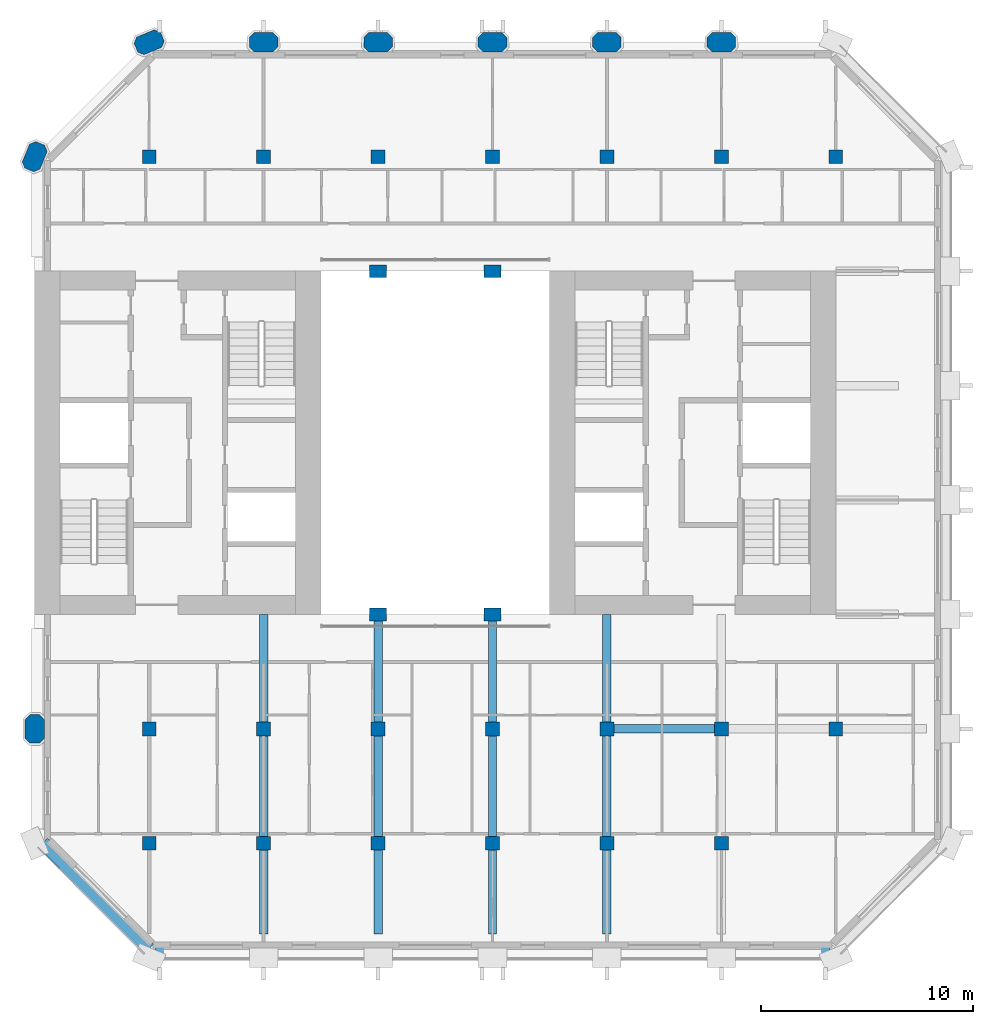
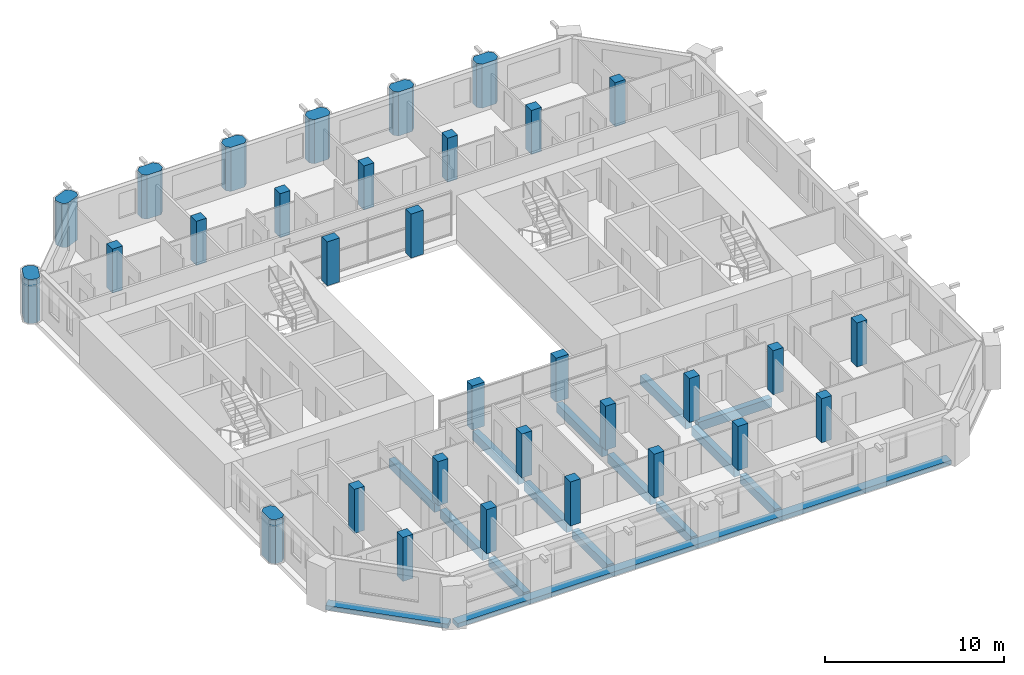
# One storey, part 1 of 14: 32 columns, 15 beams.
"""IFC4 building model written with IfcOpenShell, lengths in metres."""

from ifc_helpers import new_model, si_unit, direction, frame, origin, origin_2d, place, context, subcontext, project, spatial, polyline, rectangle, outline, extrude, material, material_profile, profile_set, type_object, element, save


model = new_model("IFC4")

# Units and contexts
model_context = context("Model", 3, precision=1e-05, world=origin(), true_north=direction((0.0, 1.0)))
body_context = subcontext(model_context, "Body", "Model", "MODEL_VIEW")
ifc_project = project(units=[si_unit("LENGTHUNIT", "METRE"), si_unit("AREAUNIT", "SQUARE_METRE"), si_unit("VOLUMEUNIT", "CUBIC_METRE"), si_unit("PLANEANGLEUNIT", "RADIAN"), si_unit("MASSUNIT", "GRAM", prefix="KILO")], contexts=[model_context])

# Site, building, storey
site_placement = place(None, origin())
site = spatial("IfcSite", under=ifc_project, at=site_placement, CompositionType="ELEMENT")
building_placement = place(site_placement, origin())
building = spatial("IfcBuilding", under=site, at=building_placement, Name="Tabaq Tower and Sports Hall", CompositionType="ELEMENT")
storey_placement = place(building_placement, frame((0.0, 0.0, 285.10009765625)))
storey = spatial("IfcBuildingStorey", under=building, at=storey_placement, Name="L70", CompositionType="ELEMENT", Elevation=285.10009765625)

# Columns
ifc_material_1 = material(Name="Concrete C40/50", Category="concrete")
ifc_material_profile_1 = material_profile(ifc_material_1, rectangle(XDim=0.800048828125, YDim=0.60009765625, at=origin_2d()), Name="ATRIUM COLUMN 800x600")
ifc_profile_set_1 = profile_set([ifc_material_profile_1], Name="Concrete C40/50")
column_type_1 = type_object("IfcColumnType", Name="RC COLUMN ATRIUM COLUMN 800x600 C40/50", PredefinedType="COLUMN", material=ifc_profile_set_1)
for number, where, z_axis, x_axis, name in (
    (1, (21.60009765625, 16.199951171875, 0.0), (0.0, 0.0, 1.0), (1.0, 0.0, 0.0), "Atrium Column 5/D L70"),
    (2, (27.0, 16.199951171875, 0.0), (0.0, 0.0, 1.0), (1.0, 0.0, 0.0), "Atrium Column 6/D L70"),
    (3, (21.60009765625, 32.39990234375, 0.0), (0.0, 0.0, 1.0), (1.0, 0.0, 0.0), "Atrium Column 5/G L70"),
    (4, (27.0, 32.39990234375, 0.0), (0.0, 0.0, 1.0), (1.0, 0.0, 0.0), "Atrium Column 6/G L70"),
):
    element("IfcColumn", number, at=place(storey_placement, frame(where, z_axis=z_axis, x_axis=x_axis)), inside=storey, type_object=column_type_1, Name=name, PredefinedType="COLUMN", context=body_context, shape_type="SweptSolid", body=[
        extrude(rectangle(XDim=0.800048828125, YDim=0.60009765625, at=origin_2d()), origin(), (0.0, 0.0, 1.0), 3.0),
    ])
ifc_material_2 = material(Name="Concrete C40/50", Category="concrete")
ifc_material_profile_2 = material_profile(ifc_material_2, rectangle(XDim=0.64990234375, YDim=0.64990234375, at=origin_2d()), Name="COLUMN 650x650")
ifc_profile_set_2 = profile_set([ifc_material_profile_2], Name="Concrete C40/50")
column_type_2 = type_object("IfcColumnType", Name="RC COLUMN COLUMN 650x650 C40/50", PredefinedType="COLUMN", material=ifc_profile_set_2)
for number, where, z_axis, x_axis, name in (
    (5, (10.800048828125, 5.39990234375, 0.0), (0.0, 0.0, 1.0), (1.0, 0.0, 0.0), "Column 3/B L70"),
    (6, (16.199951171875, 5.39990234375, 0.0), (0.0, 0.0, 1.0), (1.0, 0.0, 0.0), "Column 4/B L70"),
    (7, (21.60009765625, 5.39990234375, 0.0), (0.0, 0.0, 1.0), (1.0, 0.0, 0.0), "Column 5/B L70"),
    (8, (27.0, 5.39990234375, 0.0), (0.0, 0.0, 1.0), (1.0, 0.0, 0.0), "Column 6/B L70"),
    (9, (32.39990234375, 5.39990234375, 0.0), (0.0, 0.0, 1.0), (1.0, 0.0, 0.0), "Column 7/B L70"),
    (10, (37.800048828125, 5.39990234375, 0.0), (0.0, 0.0, 1.0), (1.0, 0.0, 0.0), "Column 8/B L70"),
    (11, (10.800048828125, 10.800048828125, 0.0), (0.0, 0.0, 1.0), (1.0, 0.0, 0.0), "Column 3/C L70"),
    (12, (16.199951171875, 10.800048828125, 0.0), (0.0, 0.0, 1.0), (1.0, 0.0, 0.0), "Column 4/C L70"),
    (13, (21.60009765625, 10.800048828125, 0.0), (0.0, 0.0, 1.0), (1.0, 0.0, 0.0), "Column 5/C L70"),
    (14, (27.0, 10.800048828125, 0.0), (0.0, 0.0, 1.0), (1.0, 0.0, 0.0), "Column 6/C L70"),
    (15, (32.39990234375, 10.800048828125, 0.0), (0.0, 0.0, 1.0), (1.0, 0.0, 0.0), "Column 7/C L70"),
    (16, (37.800048828125, 10.800048828125, 0.0), (0.0, 0.0, 1.0), (1.0, 0.0, 0.0), "Column 8/C L70"),
    (17, (43.199951171875, 10.800048828125, 0.0), (0.0, 0.0, 1.0), (1.0, 0.0, 0.0), "Column 9/C L70"),
    (18, (10.800048828125, 37.800048828125, 0.0), (0.0, 0.0, 1.0), (1.0, 0.0, 0.0), "Column 3/H L70"),
    (19, (16.199951171875, 37.800048828125, 0.0), (0.0, 0.0, 1.0), (1.0, 0.0, 0.0), "Column 4/H L70"),
    (20, (21.60009765625, 37.800048828125, 0.0), (0.0, 0.0, 1.0), (1.0, 0.0, 0.0), "Column 5/H L70"),
    (21, (27.0, 37.800048828125, 0.0), (0.0, 0.0, 1.0), (1.0, 0.0, 0.0), "Column 6/H L70"),
    (22, (32.39990234375, 37.800048828125, 0.0), (0.0, 0.0, 1.0), (1.0, 0.0, 0.0), "Column 7/H L70"),
    (23, (37.800048828125, 37.800048828125, 0.0), (0.0, 0.0, 1.0), (1.0, 0.0, 0.0), "Column 8/H L70"),
    (24, (43.199951171875, 37.800048828125, 0.0), (0.0, 0.0, 1.0), (1.0, 0.0, 0.0), "Column 9/H L70"),
):
    element("IfcColumn", number, at=place(storey_placement, frame(where, z_axis=z_axis, x_axis=x_axis)), inside=storey, type_object=column_type_2, Name=name, PredefinedType="COLUMN", context=body_context, shape_type="SweptSolid", body=[
        extrude(rectangle(XDim=0.64990234375, YDim=0.64990234375, at=origin_2d()), origin(), (0.0, 0.0, 1.0), 3.0),
    ])
ifc_material_3 = material(Name="Concrete C40/50", Category="concrete")
ifc_material_profile_3 = material_profile(ifc_material_3, outline(polyline([(-0.449951171875, -0.449951171875), (0.449951171875, -0.449951171875), (0.675048828125, -0.22509765625), (0.675048828125, 0.22509765625), (0.449951171875, 0.449951171875), (-0.449951171875, 0.449951171875), (-0.675048828125, 0.22509765625), (-0.675048828125, -0.22509765625), (-0.449951171875, -0.449951171875)])), Name="PIER 1350x900")
ifc_profile_set_3 = profile_set([ifc_material_profile_3], Name="Concrete C40/50")
column_type_3 = type_object("IfcColumnType", Name="RC COLUMN PIER 1350x900 C40/50", PredefinedType="COLUMN", material=ifc_profile_set_3)
for number, where, z_axis, x_axis, name in (
    (25, (5.39990234375, 10.800048828125, 0.0), (0.0, 0.0, 1.0), (0.0, 1.0, 0.0), "Pier 2/C L70"),
    (26, (5.39990234375, 37.800048828125, 0.0), (0.0, 0.0, 1.0), (0.382683432365, 0.923879532511, 0.0), "Pier 2/H L70"),
    (27, (10.800048828125, 43.199951171875, 0.0), (0.0, 0.0, 1.0), (0.923879532511, 0.382683432365, 0.0), "Pier 3/I L70"),
    (28, (16.199951171875, 43.199951171875, 0.0), (0.0, 0.0, 1.0), (1.0, 0.0, 0.0), "Pier 4/I L70"),
    (29, (21.60009765625, 43.199951171875, 0.0), (0.0, 0.0, 1.0), (1.0, 0.0, 0.0), "Pier 5/I L70"),
    (30, (27.0, 43.199951171875, 0.0), (0.0, 0.0, 1.0), (1.0, 0.0, 0.0), "Pier 6/I L70"),
    (31, (32.39990234375, 43.199951171875, 0.0), (0.0, 0.0, 1.0), (1.0, 0.0, 0.0), "Pier 7/I L70"),
    (32, (37.800048828125, 43.199951171875, 0.0), (0.0, 0.0, 1.0), (1.0, 0.0, 0.0), "Pier 8/I L70"),
):
    element("IfcColumn", number, at=place(storey_placement, frame(where, z_axis=z_axis, x_axis=x_axis)), inside=storey, type_object=column_type_3, Name=name, PredefinedType="COLUMN", context=body_context, shape_type="SweptSolid", body=[
        extrude(outline(polyline([(-0.449951171875, -0.449951171875), (0.449951171875, -0.449951171875), (0.675048828125, -0.22509765625), (0.675048828125, 0.22509765625), (0.449951171875, 0.449951171875), (-0.449951171875, 0.449951171875), (-0.675048828125, 0.22509765625), (-0.675048828125, -0.22509765625), (-0.449951171875, -0.449951171875)])), origin(), (0.0, 0.0, 1.0), 3.0),
    ])

# Beams
ifc_material_4 = material(Name="Concrete C40/50", Category="concrete")
ifc_material_profile_4 = material_profile(ifc_material_4, rectangle(XDim=0.39990234375, YDim=0.60009765625, at=origin_2d()), Name="CB 400x600")
ifc_profile_set_4 = profile_set([ifc_material_profile_4], Name="Concrete C40/50")
beam_type_1 = type_object("IfcBeamType", Name="PT CANTILEVER BEAM CB 400x600 C40/50", PredefinedType="BEAM", material=ifc_profile_set_4)
beam_1_placement = place(storey_placement, frame((37.47509765625, 10.800048828125, -0.60009765625), z_axis=(-1.0, 0.0, 0.0), x_axis=(0.0, -1.0, 0.0)))
element("IfcBeam", 33, at=beam_1_placement, inside=storey, type_object=beam_type_1, Name="Cantilever Beam L70 E2 span 3", PredefinedType="BEAM", context=body_context, shape_type="SweptSolid", body=[
    extrude(rectangle(XDim=0.39990234375, YDim=0.60009765625, at=origin_2d()), origin(), (0.0, 0.0, 1.0), 4.75),
])
beam_2_placement = place(storey_placement, frame((16.199951171875, 1.125, -0.60009765625), z_axis=(0.0, 1.0, 0.0), x_axis=(-1.0, 0.0, 0.0)))
element("IfcBeam", 34, at=beam_2_placement, inside=storey, type_object=beam_type_1, Name="Cantilever Beam L70 S3 span 1", PredefinedType="BEAM", context=body_context, shape_type="SweptSolid", body=[
    extrude(rectangle(XDim=0.39990234375, YDim=0.60009765625, at=origin_2d()), origin(), (0.0, 0.0, 1.0), 3.949951171875),
])
beam_3_placement = place(storey_placement, frame((16.199951171875, 5.72509765625, -0.60009765625), z_axis=(0.0, 1.0, 0.0), x_axis=(-1.0, 0.0, 0.0)))
element("IfcBeam", 35, at=beam_3_placement, inside=storey, type_object=beam_type_1, Name="Cantilever Beam L70 S3 span 2", PredefinedType="BEAM", context=body_context, shape_type="SweptSolid", body=[
    extrude(rectangle(XDim=0.39990234375, YDim=0.60009765625, at=origin_2d()), origin(), (0.0, 0.0, 1.0), 4.75),
])
beam_4_placement = place(storey_placement, frame((16.199951171875, 11.125, -0.60009765625), z_axis=(0.0, 1.0, 0.0), x_axis=(-1.0, 0.0, 0.0)))
element("IfcBeam", 36, at=beam_4_placement, inside=storey, type_object=beam_type_1, Name="Cantilever Beam L70 S3 span 3", PredefinedType="BEAM", context=body_context, shape_type="SweptSolid", body=[
    extrude(rectangle(XDim=0.39990234375, YDim=0.60009765625, at=origin_2d()), origin(), (0.0, 0.0, 1.0), 5.074951171875),
])
beam_5_placement = place(storey_placement, frame((21.60009765625, 1.125, -0.60009765625), z_axis=(0.0, 1.0, 0.0), x_axis=(-1.0, 0.0, 0.0)))
element("IfcBeam", 37, at=beam_5_placement, inside=storey, type_object=beam_type_1, Name="Cantilever Beam L70 S4 span 1", PredefinedType="BEAM", context=body_context, shape_type="SweptSolid", body=[
    extrude(rectangle(XDim=0.39990234375, YDim=0.60009765625, at=origin_2d()), origin(), (0.0, 0.0, 1.0), 3.949951171875),
])
beam_6_placement = place(storey_placement, frame((21.60009765625, 5.72509765625, -0.60009765625), z_axis=(0.0, 1.0, 0.0), x_axis=(-1.0, 0.0, 0.0)))
element("IfcBeam", 38, at=beam_6_placement, inside=storey, type_object=beam_type_1, Name="Cantilever Beam L70 S4 span 2", PredefinedType="BEAM", context=body_context, shape_type="SweptSolid", body=[
    extrude(rectangle(XDim=0.39990234375, YDim=0.60009765625, at=origin_2d()), origin(), (0.0, 0.0, 1.0), 4.75),
])
beam_7_placement = place(storey_placement, frame((21.60009765625, 11.125, -0.60009765625), z_axis=(0.0, 1.0, 0.0), x_axis=(-1.0, 0.0, 0.0)))
element("IfcBeam", 39, at=beam_7_placement, inside=storey, type_object=beam_type_1, Name="Cantilever Beam L70 S4 span 3", PredefinedType="BEAM", context=body_context, shape_type="SweptSolid", body=[
    extrude(rectangle(XDim=0.39990234375, YDim=0.60009765625, at=origin_2d()), origin(), (0.0, 0.0, 1.0), 5.074951171875),
])
beam_8_placement = place(storey_placement, frame((27.0, 1.125, -0.60009765625), z_axis=(0.0, 1.0, 0.0), x_axis=(-1.0, 0.0, 0.0)))
element("IfcBeam", 40, at=beam_8_placement, inside=storey, type_object=beam_type_1, Name="Cantilever Beam L70 S5 span 1", PredefinedType="BEAM", context=body_context, shape_type="SweptSolid", body=[
    extrude(rectangle(XDim=0.39990234375, YDim=0.60009765625, at=origin_2d()), origin(), (0.0, 0.0, 1.0), 3.949951171875),
])
beam_9_placement = place(storey_placement, frame((27.0, 5.72509765625, -0.60009765625), z_axis=(0.0, 1.0, 0.0), x_axis=(-1.0, 0.0, 0.0)))
element("IfcBeam", 41, at=beam_9_placement, inside=storey, type_object=beam_type_1, Name="Cantilever Beam L70 S5 span 2", PredefinedType="BEAM", context=body_context, shape_type="SweptSolid", body=[
    extrude(rectangle(XDim=0.39990234375, YDim=0.60009765625, at=origin_2d()), origin(), (0.0, 0.0, 1.0), 4.75),
])
beam_10_placement = place(storey_placement, frame((27.0, 11.125, -0.60009765625), z_axis=(0.0, 1.0, 0.0), x_axis=(-1.0, 0.0, 0.0)))
element("IfcBeam", 42, at=beam_10_placement, inside=storey, type_object=beam_type_1, Name="Cantilever Beam L70 S5 span 3", PredefinedType="BEAM", context=body_context, shape_type="SweptSolid", body=[
    extrude(rectangle(XDim=0.39990234375, YDim=0.60009765625, at=origin_2d()), origin(), (0.0, 0.0, 1.0), 5.074951171875),
])
beam_11_placement = place(storey_placement, frame((32.39990234375, 1.125, -0.60009765625), z_axis=(0.0, 1.0, 0.0), x_axis=(-1.0, 0.0, 0.0)))
element("IfcBeam", 43, at=beam_11_placement, inside=storey, type_object=beam_type_1, Name="Cantilever Beam L70 S6 span 1", PredefinedType="BEAM", context=body_context, shape_type="SweptSolid", body=[
    extrude(rectangle(XDim=0.39990234375, YDim=0.60009765625, at=origin_2d()), origin(), (0.0, 0.0, 1.0), 3.949951171875),
])
beam_12_placement = place(storey_placement, frame((32.39990234375, 5.72509765625, -0.60009765625), z_axis=(0.0, 1.0, 0.0), x_axis=(-1.0, 0.0, 0.0)))
element("IfcBeam", 44, at=beam_12_placement, inside=storey, type_object=beam_type_1, Name="Cantilever Beam L70 S6 span 2", PredefinedType="BEAM", context=body_context, shape_type="SweptSolid", body=[
    extrude(rectangle(XDim=0.39990234375, YDim=0.60009765625, at=origin_2d()), origin(), (0.0, 0.0, 1.0), 4.75),
])
beam_13_placement = place(storey_placement, frame((32.39990234375, 11.125, -0.60009765625), z_axis=(0.0, 1.0, 0.0), x_axis=(-1.0, 0.0, 0.0)))
element("IfcBeam", 45, at=beam_13_placement, inside=storey, type_object=beam_type_1, Name="Cantilever Beam L70 S6 span 3", PredefinedType="BEAM", context=body_context, shape_type="SweptSolid", body=[
    extrude(rectangle(XDim=0.39990234375, YDim=0.60009765625, at=origin_2d()), origin(), (0.0, 0.0, 1.0), 5.074951171875),
])
ifc_material_5 = material(Name="Concrete C40/50", Category="concrete")
ifc_material_profile_5 = material_profile(ifc_material_5, rectangle(XDim=0.60009765625, YDim=0.300048828125, at=origin_2d()), Name="EB 600x300")
ifc_profile_set_5 = profile_set([ifc_material_profile_5], Name="Concrete C40/50")
beam_type_2 = type_object("IfcBeamType", Name="PT EDGE BEAM EB 600x300 C40/50", PredefinedType="SPANDREL", material=ifc_profile_set_5)
beam_14_placement = place(storey_placement, frame((11.0986328125, 0.300048828125, -0.150146484375), z_axis=(1.0, 0.0, 0.0), x_axis=(0.0, 1.0, 0.0)))
element("IfcBeam", 46, at=beam_14_placement, inside=storey, type_object=beam_type_2, Name="Edge Beam L70 1", PredefinedType="SPANDREL", context=body_context, shape_type="SweptSolid", body=[
    extrude(rectangle(XDim=0.60009765625, YDim=0.300048828125, at=origin_2d()), origin(), (0.0, 0.0, 1.0), 31.802734375),
])
beam_15_placement = place(storey_placement, frame((5.788818359375, 5.435302734375, -0.150146484375), z_axis=(0.707124002701, -0.707089559252, 0.0), x_axis=(0.707089559252, 0.707124002701, 0.0)))
element("IfcBeam", 47, at=beam_15_placement, inside=storey, type_object=beam_type_2, Name="Edge Beam L70 5", PredefinedType="SPANDREL", context=body_context, shape_type="SweptSolid", body=[
    extrude(rectangle(XDim=0.60009765625, YDim=0.300048828125, at=origin_2d()), origin(), (0.0, 0.0, 1.0), 7.088134765625),
])

save(model, "model.ifc")
